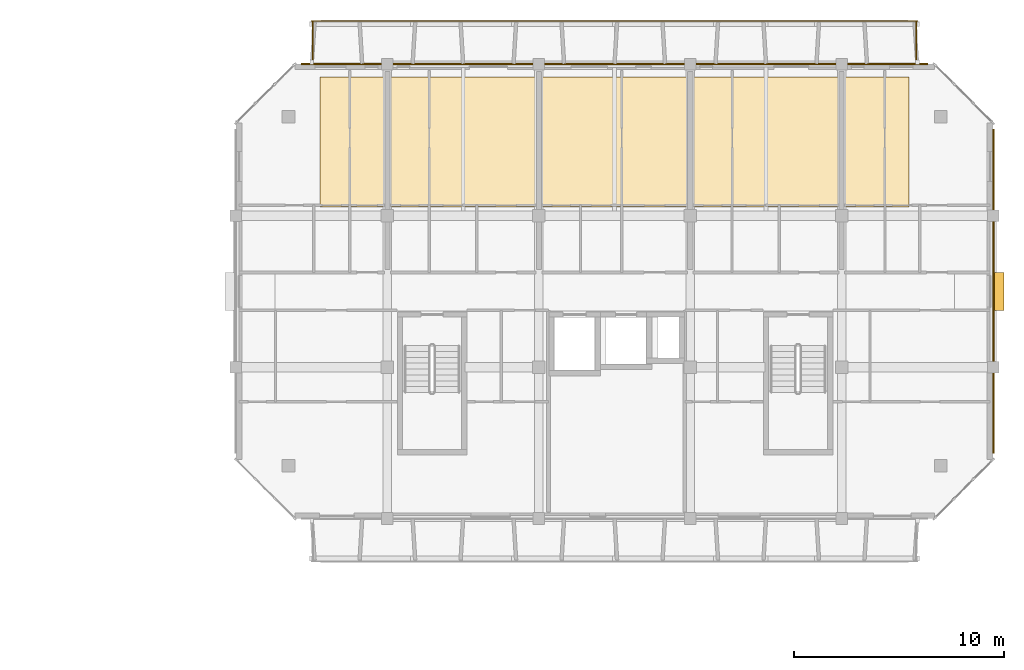
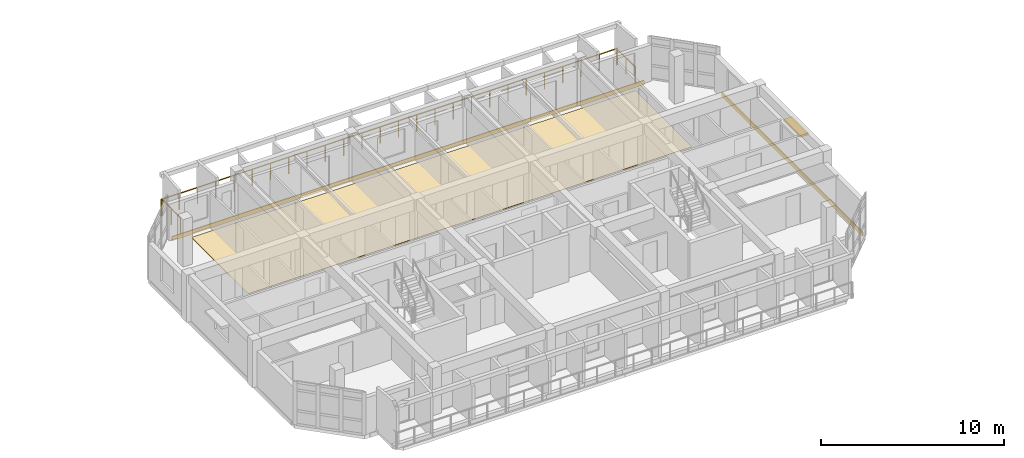
# One storey, part 51 of 51: 3 coverings, 3 railings, 1 shading device.
"""IFC4 building model written with IfcOpenShell, lengths in metres."""

import ifcopenshell
import ifcopenshell.guid

model = None  # the IFC model being written
_history = None  # IfcOwnerHistory: only IFC2X3 demands one
_inside = {}  # id of a spatial element -> (the spatial element, [elements in it])
_under = {}  # id of a project, library or spatial element -> (it, [spatial elements below it])
_declared = {}  # id of a project -> (the project, [libraries it declares])
_typed = {}  # id of a type object -> (the type object, [elements of that type])
_made_of = {}  # id of a material, layer set ... -> (it, [elements and type objects made of it])


def new_model(schema):
    """Start an empty IFC model of exactly this schema.

    Asked for "IFC4X3", IfcOpenShell would pick the latest addendum, in which some entities
    have other attributes; the version numbers below select the first issue.
    IFC2X3 requires an IfcOwnerHistory on every rooted entity: one is made here for all.
    """
    global model, _history
    if schema == "IFC4X3":
        model = ifcopenshell.file(schema_version=(4, 3, 0, 0))
    else:
        model = ifcopenshell.file(schema=schema)
    _inside.clear()
    _under.clear()
    _declared.clear()
    _typed.clear()
    _made_of.clear()
    _history = None
    if model.schema == "IFC2X3":
        org = make("IfcOrganization", Name="unknown")
        user = make(
            "IfcPersonAndOrganization",
            ThePerson=make("IfcPerson", FamilyName="unknown"),
            TheOrganization=org,
        )
        app = make(
            "IfcApplication",
            ApplicationDeveloper=org,
            Version="unknown",
            ApplicationFullName="unknown",
            ApplicationIdentifier="unknown",
        )
        _history = make(
            "IfcOwnerHistory",
            OwningUser=user,
            OwningApplication=app,
            ChangeAction="ADDED",
            CreationDate=0,
        )
    return model


def make(cls, **values):
    """One entity of the class cls with the attributes given. An attribute that is None is left unset."""
    return model.create_entity(
        cls, **{name: value for name, value in values.items() if value is not None}
    )


def rooted(cls, **values):
    """An entity with a GlobalId (a new one), such as an element, a storey or a relation."""
    return make(cls, GlobalId=ifcopenshell.guid.new(), OwnerHistory=_history, **values)


def si_unit(unit_type, name, prefix=None):
    """IfcSIUnit, for example si_unit("LENGTHUNIT", "METRE", prefix="MILLI")."""
    return make("IfcSIUnit", UnitType=unit_type, Prefix=prefix, Name=name)


def assignment(units):
    """IfcUnitAssignment: the units of a project."""
    return None if units is None else make("IfcUnitAssignment", Units=units)


def point(xyz):
    """IfcCartesianPoint."""
    return None if xyz is None else make("IfcCartesianPoint", Coordinates=xyz)


def direction(xyz):
    """IfcDirection."""
    return None if xyz is None else make("IfcDirection", DirectionRatios=xyz)


def frame(location, z_axis=None, x_axis=None):
    """IfcAxis2Placement3D, a coordinate frame: its origin and axes. An axis left out is left unset."""
    return make(
        "IfcAxis2Placement3D",
        Location=point(location),
        Axis=direction(z_axis),
        RefDirection=direction(x_axis),
    )


def frame_2d(location, x_axis=None):
    """IfcAxis2Placement2D, a coordinate frame in the plane: its origin and x axis."""
    return make(
        "IfcAxis2Placement2D", Location=point(location), RefDirection=direction(x_axis)
    )


def origin():
    """The frame at (0, 0, 0) with its axes left unset."""
    return frame((0.0, 0.0, 0.0))


def origin_2d():
    """The frame at (0, 0) in the plane with its x axis left unset."""
    return frame_2d((0.0, 0.0))


def place(relative_to, where):
    """IfcLocalPlacement: puts the frame where relative to a parent placement (None: the world)."""
    return make(
        "IfcLocalPlacement", PlacementRelTo=relative_to, RelativePlacement=where
    )


def context(
    kind, dimensions, precision=None, world=None, true_north=None, identifier=None
):
    """IfcGeometricRepresentationContext, for example the 3D "Model" context."""
    return make(
        "IfcGeometricRepresentationContext",
        ContextIdentifier=identifier,
        ContextType=kind,
        CoordinateSpaceDimension=dimensions,
        Precision=precision,
        WorldCoordinateSystem=world,
        TrueNorth=true_north,
    )


def subcontext(parent, identifier, kind, view, scale=None):
    """IfcGeometricRepresentationSubContext, for example "Body" below "Model"."""
    return make(
        "IfcGeometricRepresentationSubContext",
        ContextIdentifier=identifier,
        ContextType=kind,
        ParentContext=parent,
        TargetScale=scale,
        TargetView=view,
    )


def project(units=None, contexts=None):
    """IfcProject with its units and contexts."""
    return rooted(
        "IfcProject",
        Name="project",
        RepresentationContexts=contexts,
        UnitsInContext=assignment(units),
    )


def spatial(cls, under=None, at=None, **own):
    """A site, building, storey or space (cls), placed at a placement, below another one or the project."""
    s = rooted(cls, ObjectPlacement=at, **own)
    if under is not None:
        _under.setdefault(under.id(), (under, []))[1].append(s)
    return s


def polyline(points):
    """IfcPolyline through the points."""
    return make("IfcPolyline", Points=[point(p) for p in points])


def profile(cls, at=None, kind="AREA", **sizes):
    """A parametric profile (cls). Its sizes go by their IFC names, for example OverallWidth=200.0."""
    return make(cls, ProfileType=kind, Position=at, **sizes)


def rectangle(**sizes):
    """IfcRectangleProfileDef."""
    return profile("IfcRectangleProfileDef", **sizes)


def circle(**sizes):
    """IfcCircleProfileDef."""
    return profile("IfcCircleProfileDef", **sizes)


def outline(outer, holes=None, kind="AREA"):
    """IfcArbitraryClosedProfileDef: a profile drawn as a closed curve; with holes, ...WithVoids."""
    if holes is None:
        return make("IfcArbitraryClosedProfileDef", ProfileType=kind, OuterCurve=outer)
    return make(
        "IfcArbitraryProfileDefWithVoids",
        ProfileType=kind,
        OuterCurve=outer,
        InnerCurves=holes,
    )


def extrude(swept, where, along, depth):
    """IfcExtrudedAreaSolid: the profile swept, set in the frame where, extruded along a direction by depth."""
    return make(
        "IfcExtrudedAreaSolid",
        SweptArea=swept,
        Position=where,
        ExtrudedDirection=direction(along),
        Depth=depth,
    )


def shape(context_of_items, identifier, shape_type, items):
    """IfcShapeRepresentation: the items that make up one representation, for example the "Body"."""
    return make(
        "IfcShapeRepresentation",
        ContextOfItems=context_of_items,
        RepresentationIdentifier=identifier,
        RepresentationType=shape_type,
        Items=items,
    )


def material(Name=None, Category=None):
    """IfcMaterial."""
    return make("IfcMaterial", Name=Name, Category=Category)


def layer(
    of_material, thickness, ventilated=None, Name=None, Category=None, Priority=None
):
    """IfcMaterialLayer: one layer of a wall or slab, of a material (None: an air gap)."""
    return make(
        "IfcMaterialLayer",
        Material=of_material,
        LayerThickness=thickness,
        IsVentilated=ventilated,
        Name=Name,
        Category=Category,
        Priority=Priority,
    )


def layer_set(layers, Name=None):
    """IfcMaterialLayerSet."""
    return make("IfcMaterialLayerSet", MaterialLayers=layers, LayerSetName=Name)


def made_of(thing, what):
    """Note that an element or type object is made of a material, layer set ...; save() writes the relation."""
    if what is not None:
        _made_of.setdefault(what.id(), (what, []))[1].append(thing)
    return thing


def type_object(cls, material=None, **own):
    """A type object (cls), such as IfcWallType, which elements share."""
    return made_of(rooted(cls, **own), material)


def element(
    cls,
    number,
    at=None,
    inside=None,
    cuts=None,
    type_object=None,
    material=None,
    context=None,
    identifier="Body",
    shape_type=None,
    held_by="IfcProductDefinitionShape",
    body=None,
    shapes=None,
    **own,
):
    """One element of the class cls, such as IfcWall. Its Tag is "e" and its number.

    at: its placement. inside: the storey or other place that contains it. cuts: it is an
    opening in that element (IfcRelVoidsElement). A single representation is given by context,
    identifier, shape_type and body (its items); several are given by shapes. held_by: the class
    of the entity that holds the representations. save() writes the other relations.
    """
    e = rooted(cls, Tag="e%d" % number, ObjectPlacement=at, **own)
    if body is not None:
        shapes = [shape(context, identifier, shape_type, body)]
    if shapes is not None:
        e.Representation = make(held_by, Representations=shapes)
    if inside is not None:
        _inside.setdefault(inside.id(), (inside, []))[1].append(e)
    if cuts is not None:
        rooted(
            "IfcRelVoidsElement", RelatingBuildingElement=cuts, RelatedOpeningElement=e
        )
    if type_object is not None:
        _typed.setdefault(type_object.id(), (type_object, []))[1].append(e)
    return made_of(e, material)


def aggregate(whole, parts):
    """IfcRelAggregates: a whole, such as a stair, and the parts it consists of."""
    return rooted("IfcRelAggregates", RelatingObject=whole, RelatedObjects=parts)


def save(model, path):
    """Write the relations noted so far, then the file.

    IfcRelAggregates (storeys below a building ...), IfcRelContainedInSpatialStructure (elements
    in a storey), IfcRelDefinesByType, IfcRelAssociatesMaterial and IfcRelDeclares: one each for
    every whole, place, type object, material and project.
    """
    for whole, parts in _under.values():
        aggregate(whole, parts)
    for where, things in _inside.values():
        rooted(
            "IfcRelContainedInSpatialStructure",
            RelatedElements=things,
            RelatingStructure=where,
        )
    for kind, things in _typed.values():
        rooted("IfcRelDefinesByType", RelatedObjects=things, RelatingType=kind)
    for what, things in _made_of.values():
        rooted("IfcRelAssociatesMaterial", RelatedObjects=things, RelatingMaterial=what)
    for by, libraries in _declared.values():
        rooted("IfcRelDeclares", RelatingContext=by, RelatedDefinitions=libraries)
    model.write(path)


model = new_model("IFC4")

# Units and contexts
model_context = context("Model", 3, precision=1e-05, world=origin(), true_north=direction((0.0, 1.0)))
body_context = subcontext(model_context, "Body", "Model", "MODEL_VIEW")
ifc_project = project(units=[si_unit("LENGTHUNIT", "METRE"), si_unit("AREAUNIT", "SQUARE_METRE"), si_unit("VOLUMEUNIT", "CUBIC_METRE"), si_unit("PLANEANGLEUNIT", "RADIAN"), si_unit("MASSUNIT", "GRAM", prefix="KILO")], contexts=[model_context])

# Site, building, storey
site_placement = place(None, origin())
site = spatial("IfcSite", under=ifc_project, at=site_placement, CompositionType="ELEMENT")
building_placement = place(site_placement, origin())
building = spatial("IfcBuilding", under=site, at=building_placement, Name="Ochrevale Crest", CompositionType="ELEMENT")
storey_placement = place(building_placement, frame((0.0, 0.0, 11.85009765625)))
storey = spatial("IfcBuildingStorey", under=building, at=storey_placement, Name="L03", CompositionType="ELEMENT", Elevation=11.85009765625)

# Coverings
ifc_material_1 = material(Name="Glazed terracotta rainscreen tile", Category="masonry")
ifc_layer_1 = layer(ifc_material_1, 0.048095703125)
ifc_layer_set_1 = layer_set([ifc_layer_1], Name="Glazed terracotta rainscreen tile")
covering_type_1 = type_object("IfcCoveringType", Name="COV-CLAD-TER", PredefinedType="CLADDING", material=ifc_layer_set_1)
covering_1_placement = place(storey_placement, frame((165.614501953125, 82.800048828125, -0.26025390625), z_axis=(0.0, 0.0, 1.0), x_axis=(0.0, 1.0, 0.0)))
element("IfcCovering", 1, at=covering_1_placement, inside=storey, type_object=covering_type_1, Name="Block D L03 terracotta slab-edge spandrel cladding", PredefinedType="CLADDING", context=body_context, shape_type="SweptSolid", body=[
    extrude(rectangle(XDim=15.39990234375, YDim=0.06005859375, at=origin_2d()), origin(), (0.0, 0.0, 1.0), 0.280029296875),
])
covering_2_placement = place(storey_placement, frame((147.60009765625, 93.612548828125, -0.26025390625), z_axis=(0.0, 0.0, 1.0), x_axis=(-1.0, 0.0, 0.0)))
element("IfcCovering", 2, at=covering_2_placement, inside=storey, type_object=covering_type_1, Name="Block D L03 terracotta slab-edge spandrel cladding", PredefinedType="CLADDING", context=body_context, shape_type="SweptSolid", body=[
    extrude(rectangle(XDim=29.800048828125, YDim=0.06005859375, at=origin_2d()), origin(), (0.0, 0.0, 1.0), 0.280029296875),
])
ifc_material_2 = material(Name="Engineered spotted-gum hardwood flooring", Category="wood")
ifc_layer_2 = layer(ifc_material_2, 0.02001953125)
ifc_layer_set_2 = layer_set([ifc_layer_2], Name="Engineered spotted-gum hardwood flooring")
covering_type_2 = type_object("IfcCoveringType", Name="COV-FLR-TIM", PredefinedType="FLOORING", material=ifc_layer_set_2)
covering_3_placement = place(storey_placement, origin())
element("IfcCovering", 3, at=covering_3_placement, inside=storey, type_object=covering_type_2, Name="Block D L03 spotted-gum apartment flooring", PredefinedType="FLOORING", context=body_context, shape_type="SweptSolid", body=[
    extrude(outline(polyline([(133.60009765625, 86.800048828125), (161.60009765625, 86.800048828125), (161.60009765625, 93.0), (133.60009765625, 93.0), (133.60009765625, 86.800048828125)])), origin(), (0.0, 0.0, 1.0), 0.02001953125),
])

# Railings
ifc_material_3 = material(Name="Galvanised steel", Category="steel")
railing_type = type_object("IfcRailingType", Name="RL-BAL-1100", PredefinedType="BALUSTRADE", material=ifc_material_3)
railing_placement = place(storey_placement, frame((133.199951171875, 95.639892578125, 0.0)))
element("IfcRailing", 4, at=railing_placement, inside=storey, type_object=railing_type, Name="Block D L03 N balcony front balustrade", PredefinedType="BALUSTRADE", context=body_context, shape_type="SweptSolid", body=[
    extrude(circle(Radius=0.02392578125, at=origin_2d()), frame((0.0, 0.0, 1.0859375), z_axis=(1.0, 0.0, 0.0), x_axis=(0.0, 1.0, 0.0)), (0.0, 0.0, 1.0), 28.800048828125),
    extrude(circle(Radius=0.02099609375, at=origin_2d()), origin(), (0.0, 0.0, 1.0), 1.06201171875),
    extrude(circle(Radius=0.02099609375, at=origin_2d()), frame((1.152099609375, 0.0, 0.0)), (0.0, 0.0, 1.0), 1.06201171875),
    extrude(circle(Radius=0.02099609375, at=origin_2d()), frame((2.303955078125, 0.0, 0.0)), (0.0, 0.0, 1.0), 1.06201171875),
    extrude(circle(Radius=0.02099609375, at=origin_2d()), frame((3.4560546875, 0.0, 0.0)), (0.0, 0.0, 1.0), 1.06201171875),
    extrude(circle(Radius=0.02099609375, at=origin_2d()), frame((4.60791015625, 0.0, 0.0)), (0.0, 0.0, 1.0), 1.06201171875),
    extrude(circle(Radius=0.02099609375, at=origin_2d()), frame((5.760009765625, 0.0, 0.0)), (0.0, 0.0, 1.0), 1.06201171875),
    extrude(circle(Radius=0.02099609375, at=origin_2d()), frame((6.912109375, 0.0, 0.0)), (0.0, 0.0, 1.0), 1.06201171875),
    extrude(circle(Radius=0.02099609375, at=origin_2d()), frame((8.06396484375, 0.0, 0.0)), (0.0, 0.0, 1.0), 1.06201171875),
    extrude(circle(Radius=0.02099609375, at=origin_2d()), frame((9.216064453125, 0.0, 0.0)), (0.0, 0.0, 1.0), 1.06201171875),
    extrude(circle(Radius=0.02099609375, at=origin_2d()), frame((10.367919921875, 0.0, 0.0)), (0.0, 0.0, 1.0), 1.06201171875),
    extrude(circle(Radius=0.02099609375, at=origin_2d()), frame((11.52001953125, 0.0, 0.0)), (0.0, 0.0, 1.0), 1.06201171875),
    extrude(circle(Radius=0.02099609375, at=origin_2d()), frame((12.672119140625, 0.0, 0.0)), (0.0, 0.0, 1.0), 1.06201171875),
    extrude(circle(Radius=0.02099609375, at=origin_2d()), frame((13.823974609375, 0.0, 0.0)), (0.0, 0.0, 1.0), 1.06201171875),
    extrude(circle(Radius=0.02099609375, at=origin_2d()), frame((14.97607421875, 0.0, 0.0)), (0.0, 0.0, 1.0), 1.06201171875),
    extrude(circle(Radius=0.02099609375, at=origin_2d()), frame((16.1279296875, 0.0, 0.0)), (0.0, 0.0, 1.0), 1.06201171875),
    extrude(circle(Radius=0.02099609375, at=origin_2d()), frame((17.280029296875, 0.0, 0.0)), (0.0, 0.0, 1.0), 1.06201171875),
    extrude(circle(Radius=0.02099609375, at=origin_2d()), frame((18.43212890625, 0.0, 0.0)), (0.0, 0.0, 1.0), 1.06201171875),
    extrude(circle(Radius=0.02099609375, at=origin_2d()), frame((19.583984375, 0.0, 0.0)), (0.0, 0.0, 1.0), 1.06201171875),
    extrude(circle(Radius=0.02099609375, at=origin_2d()), frame((20.736083984375, 0.0, 0.0)), (0.0, 0.0, 1.0), 1.06201171875),
    extrude(circle(Radius=0.02099609375, at=origin_2d()), frame((21.887939453125, 0.0, 0.0)), (0.0, 0.0, 1.0), 1.06201171875),
    extrude(circle(Radius=0.02099609375, at=origin_2d()), frame((23.0400390625, 0.0, 0.0)), (0.0, 0.0, 1.0), 1.06201171875),
    extrude(circle(Radius=0.02099609375, at=origin_2d()), frame((24.192138671875, 0.0, 0.0)), (0.0, 0.0, 1.0), 1.06201171875),
    extrude(circle(Radius=0.02099609375, at=origin_2d()), frame((25.343994140625, 0.0, 0.0)), (0.0, 0.0, 1.0), 1.06201171875),
    extrude(circle(Radius=0.02099609375, at=origin_2d()), frame((26.49609375, 0.0, 0.0)), (0.0, 0.0, 1.0), 1.06201171875),
    extrude(circle(Radius=0.02099609375, at=origin_2d()), frame((27.64794921875, 0.0, 0.0)), (0.0, 0.0, 1.0), 1.06201171875),
    extrude(circle(Radius=0.02099609375, at=origin_2d()), frame((28.800048828125, 0.0, 0.0)), (0.0, 0.0, 1.0), 1.06201171875),
])
for number, where, name in (
    (5, (133.260009765625, 93.60009765625, 0.0), "Block D L03 N-W balcony side guard"),
    (6, (161.93994140625, 93.60009765625, 0.0), "Block D L03 N-E balcony side guard"),
):
    element("IfcRailing", number, at=place(storey_placement, frame(where)), inside=storey, type_object=railing_type, Name=name, PredefinedType="BALUSTRADE", context=body_context, shape_type="SweptSolid", body=[
        extrude(circle(Radius=0.02392578125, at=origin_2d()), frame((0.0, 0.0, 1.0859375), z_axis=(0.0, 1.0, 0.0), x_axis=(-1.0, 0.0, 0.0)), (0.0, 0.0, 1.0), 2.039794921875),
        extrude(circle(Radius=0.02099609375, at=origin_2d()), origin(), (0.0, 0.0, 1.0), 1.06201171875),
        extrude(circle(Radius=0.02099609375, at=origin_2d()), frame((0.0, 1.02001953125, 0.0)), (0.0, 0.0, 1.0), 1.06201171875),
        extrude(circle(Radius=0.02099609375, at=origin_2d()), frame((0.0, 2.039794921875, 0.0)), (0.0, 0.0, 1.0), 1.06201171875),
    ])

# Shading device
ifc_material_4 = material(Name="Anodised aluminium 6063-T5", Category="aluminium")
shading_device_type = type_object("IfcShadingDeviceType", Name="SHD-SUNSHADE-OC", PredefinedType="USERDEFINED", material=ifc_material_4)
shading_device_placement = place(storey_placement, frame((165.840087890625, 82.800048828125, 2.2099609375), z_axis=(0.0, 0.0, 1.0), x_axis=(1.0, 0.0, 0.0)))
element("IfcShadingDevice", 7, at=shading_device_placement, inside=storey, type_object=shading_device_type, Name="Block D L03 gable window sunshade E", ObjectType="HORIZONTAL SUNSHADE", PredefinedType="USERDEFINED", context=body_context, shape_type="SweptSolid", body=[
    extrude(rectangle(XDim=0.550048828125, YDim=1.800048828125, at=origin_2d()), origin(), (0.0, 0.0, 1.0), 0.139892578125),
])

save(model, "model.ifc")
